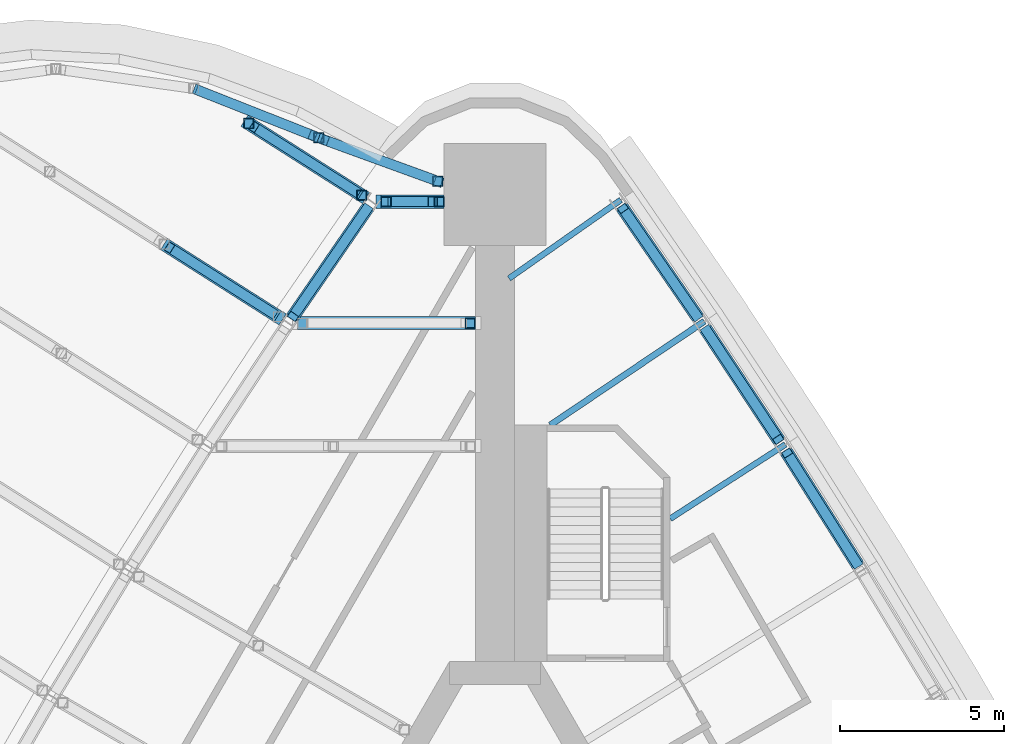
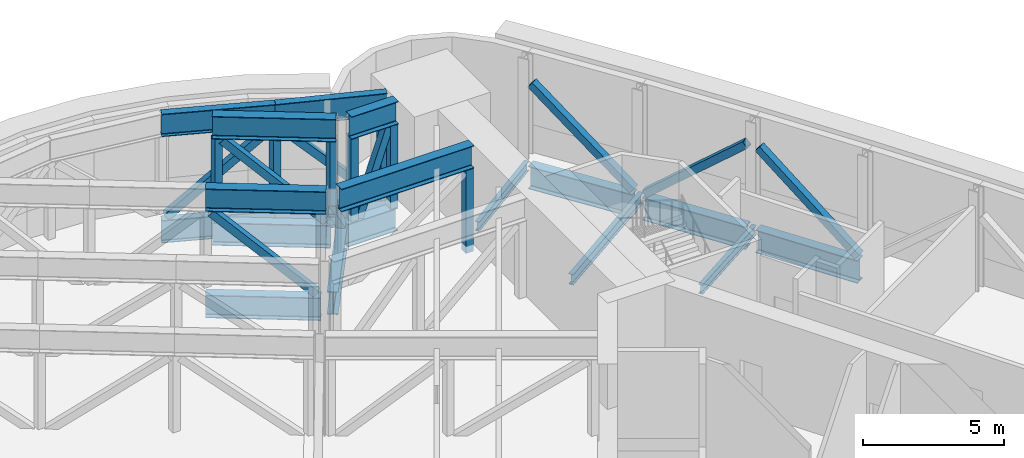
# One storey, part 5 of 11: 27 members, 7 beams.
"""IFC4 building model written with IfcOpenShell, lengths in metres."""

from ifc_helpers import new_model, si_unit, direction, frame, origin, origin_2d, place, context, subcontext, project, spatial, hollow_rectangle, i_section, extrude, material, material_profile, profile_set, type_object, element, save


model = new_model("IFC4")

# Units and contexts
model_context = context("Model", 3, precision=1e-05, world=origin(), true_north=direction((0.0, 1.0)))
body_context = subcontext(model_context, "Body", "Model", "MODEL_VIEW")
ifc_project = project(units=[si_unit("LENGTHUNIT", "METRE"), si_unit("AREAUNIT", "SQUARE_METRE"), si_unit("VOLUMEUNIT", "CUBIC_METRE"), si_unit("PLANEANGLEUNIT", "RADIAN"), si_unit("MASSUNIT", "GRAM", prefix="KILO")], contexts=[model_context])

# Site, building, storey
site_placement = place(None, origin())
site = spatial("IfcSite", under=ifc_project, at=site_placement, CompositionType="ELEMENT")
building_placement = place(site_placement, origin())
building = spatial("IfcBuilding", under=site, at=building_placement, Name="Noor Cloister Tower", CompositionType="ELEMENT")
storey_placement = place(building_placement, frame((0.0, 0.0, 87.0)))
storey = spatial("IfcBuildingStorey", under=building, at=storey_placement, Name="L22", CompositionType="ELEMENT", Elevation=87.0)

# Beams
ifc_material_1 = material(Name="Steel ASTM A992 Gr 50", Category="steel")
ifc_material_profile_1 = material_profile(ifc_material_1, i_section(OverallWidth=0.40087890625, OverallDepth=0.98291015625, WebThickness=0.0166015625, FlangeThickness=0.027099609375, FilletRadius=0.030029296875, at=origin_2d()), Name="W1000x296")
ifc_profile_set_1 = profile_set([ifc_material_profile_1], Name="Steel ASTM A992 Gr 50")
beam_type_1 = type_object("IfcBeamType", Name="Belt chord girder W1000x296", PredefinedType="BEAM", material=ifc_profile_set_1)
for number, where, z_axis, x_axis, name in (
    (1, (-3.869140625, 25.297119140625, -0.79150390625), (-0.566559259153, -0.824020998439, 0.0), (0.824020998439, -0.566559259153, 0.0), "Spandrel beam NW 01 L22"),
    (2, (11.05615234375, 14.390625, -0.79150390625), (-0.533743383618, 0.845646498511, 0.0), (-0.845646498511, -0.533743383618, 0.0), "Spandrel beam NE 07 L22"),
    (3, (8.656982421875, 18.184814453125, -0.79150390625), (-0.55023760703, 0.835008129188, 0.0), (-0.835008129188, -0.55023760703, 0.0), "Spandrel beam NE 08 L22"),
    (4, (6.18359375, 21.930908203125, -0.79150390625), (-0.566559259153, 0.824020998439, 0.0), (-0.824020998439, -0.566559259153, 0.0), "Spandrel beam NE 09 L22"),
):
    element("IfcBeam", number, at=place(storey_placement, frame(where, z_axis=z_axis, x_axis=x_axis)), inside=storey, type_object=beam_type_1, Name=name, PredefinedType="BEAM", context=body_context, shape_type="SweptSolid", body=[
        extrude(i_section(OverallWidth=0.40087890625, OverallDepth=0.98291015625, WebThickness=0.0166015625, FlangeThickness=0.027099609375, FilletRadius=0.030029296875, at=origin_2d()), origin(), (0.0, 0.0, 1.0), 4.085205078125),
    ])

# Members
ifc_material_2 = material(Name="Steel ASTM A500 Gr C", Category="steel")
ifc_material_profile_2 = material_profile(ifc_material_2, hollow_rectangle(XDim=0.304931640625, YDim=0.304931640625, WallThickness=0.0126953125, at=origin_2d()), Name="HSS304.8x304.8x12.7")
ifc_profile_set_2 = profile_set([ifc_material_profile_2], Name="Steel ASTM A500 Gr C")
member_type_1 = type_object("IfcMemberType", Name="Belt truss diagonal HSS304.8x304.8x12.7", PredefinedType="BRACE", material=ifc_profile_set_2)
for number, where, z_axis, x_axis, name in (
    (5, (-3.894775390625, 25.259765625, -0.18359375), (-0.432260153523, -0.628686927354, 0.646454876268), (0.824018738372, -0.566562546248, 0.0), "Belt truss diagonal NW 01 L22"),
    (6, (11.03173828125, 14.42919921875, -0.18359375), (-0.407176762911, 0.64520564825, 0.646464813592), (-0.845679126931, -0.533691684658, 0.0), "Belt truss diagonal NE 07 L22"),
    (7, (6.43408203125, 21.557861328125, -0.18359375), (0.41981778305, -0.637048535487, 0.646469018955), (0.834991396882, 0.55026299815, 0.0), "Belt truss diagonal NE 08 L22"),
    (8, (6.15771484375, 21.968505859375, -0.18359375), (-0.432260153523, 0.628686927354, 0.646454876268), (-0.824018738372, -0.566562546248, 0.0), "Belt truss diagonal NE 09 L22"),
):
    element("IfcMember", number, at=place(storey_placement, frame(where, z_axis=z_axis, x_axis=x_axis)), inside=storey, type_object=member_type_1, Name=name, PredefinedType="BRACE", context=body_context, shape_type="SweptSolid", body=[
        extrude(hollow_rectangle(XDim=0.304931640625, YDim=0.304931640625, WallThickness=0.0126953125, at=origin_2d()), origin(), (0.0, 0.0, 1.0), 5.235107421875),
    ])
ifc_material_3 = material(Name="Steel ASTM A992 Gr 50", Category="steel")
ifc_material_profile_3 = material_profile(ifc_material_3, i_section(OverallWidth=0.300048828125, OverallDepth=0.97998046875, WebThickness=0.0166015625, FlangeThickness=0.026123046875, FilletRadius=0.02978515625, at=origin_2d()), Name="W1000x249")
ifc_profile_set_3 = profile_set([ifc_material_profile_3], Name="Steel ASTM A992 Gr 50")
member_type_2 = type_object("IfcMemberType", Name="Pod ring chord W1000x249", PredefinedType="CHORD", material=ifc_profile_set_3)
member_1_placement = place(storey_placement, frame((-1.626220703125, 26.04638671875, -0.7900390625), z_axis=(-0.939671737681, 0.342077513737, 0.0), x_axis=(-0.342077513737, -0.939671737681, 0.0)))
element("IfcMember", 9, at=member_1_placement, inside=storey, type_object=member_type_2, Name="Pod truss 2 bottom chord ring 1", PredefinedType="CHORD", context=body_context, shape_type="SweptSolid", body=[
    extrude(i_section(OverallWidth=0.300048828125, OverallDepth=0.97998046875, WebThickness=0.0166015625, FlangeThickness=0.026123046875, FilletRadius=0.02978515625, at=origin_2d()), origin(), (0.0, 0.0, 1.0), 3.9853515625),
])
member_2_placement = place(storey_placement, frame((-1.601318359375, 26.037109375, 3.81005859375), z_axis=(-0.939654757797, 0.342124153121, 0.0), x_axis=(-0.342124153121, -0.939654757797, 0.0)))
element("IfcMember", 10, at=member_2_placement, inside=storey, type_object=member_type_2, Name="Pod truss 2 top chord ring 1", PredefinedType="CHORD", context=body_context, shape_type="SweptSolid", body=[
    extrude(i_section(OverallWidth=0.300048828125, OverallDepth=0.97998046875, WebThickness=0.0166015625, FlangeThickness=0.026123046875, FilletRadius=0.02978515625, at=origin_2d()), origin(), (0.0, 0.0, 1.0), 4.011962890625),
])
for number, where, z_axis, x_axis, name in (
    (11, (-5.375, 27.4111328125, -0.7900390625), (-0.930196647157, 0.367061571971, 0.0), (-0.367061571971, -0.930196647157, 0.0), "Pod truss 2 bottom chord ring 2"),
    (12, (-5.375, 27.4111328125, 3.81005859375), (-0.930196647157, 0.367061571971, 0.0), (-0.367061571971, -0.930196647157, 0.0), "Pod truss 2 top chord ring 2"),
):
    element("IfcMember", number, at=place(storey_placement, frame(where, z_axis=z_axis, x_axis=x_axis)), inside=storey, type_object=member_type_2, Name=name, PredefinedType="CHORD", context=body_context, shape_type="SweptSolid", body=[
        extrude(i_section(OverallWidth=0.300048828125, OverallDepth=0.97998046875, WebThickness=0.0166015625, FlangeThickness=0.026123046875, FilletRadius=0.02978515625, at=origin_2d()), origin(), (0.0, 0.0, 1.0), 4.077880859375),
    ])
ifc_material_4 = material(Name="Steel ASTM A992 Gr 50", Category="steel")
ifc_material_profile_4 = material_profile(ifc_material_4, i_section(OverallWidth=0.40087890625, OverallDepth=0.98291015625, WebThickness=0.0166015625, FlangeThickness=0.027099609375, FilletRadius=0.030029296875, at=origin_2d()), Name="W1000x296")
ifc_profile_set_4 = profile_set([ifc_material_profile_4], Name="Steel ASTM A992 Gr 50")
member_type_3 = type_object("IfcMemberType", Name="Pod truss chord W1000x296", PredefinedType="CHORD", material=ifc_profile_set_4)
member_3_placement = place(storey_placement, frame((-4.089111328125, 25.67626953125, -0.79150390625), z_axis=(-0.843993738831, 0.536353026294, 0.0), x_axis=(-0.536353026294, -0.843993738831, 0.0)))
element("IfcMember", 13, at=member_3_placement, inside=storey, type_object=member_type_3, Name="Pod truss 2 bottom chord line 1 cantilever 1", PredefinedType="CHORD", context=body_context, shape_type="SweptSolid", body=[
    extrude(i_section(OverallWidth=0.40087890625, OverallDepth=0.98291015625, WebThickness=0.0166015625, FlangeThickness=0.027099609375, FilletRadius=0.030029296875, at=origin_2d()), origin(), (0.0, 0.0, 1.0), 4.20361328125),
])
member_4_placement = place(storey_placement, frame((-3.93359375, 25.577392578125, 3.80859375), z_axis=(-0.843988946547, 0.536360567256, 0.0), x_axis=(-0.536360567256, -0.843988946547, 0.0)))
element("IfcMember", 14, at=member_4_placement, inside=storey, type_object=member_type_3, Name="Pod truss 2 top chord line 1 cantilever 1", PredefinedType="CHORD", context=body_context, shape_type="SweptSolid", body=[
    extrude(i_section(OverallWidth=0.40087890625, OverallDepth=0.98291015625, WebThickness=0.0166015625, FlangeThickness=0.027099609375, FilletRadius=0.030029296875, at=origin_2d()), origin(), (0.0, 0.0, 1.0), 4.387939453125),
])
member_5_placement = place(storey_placement, frame((-3.6318359375, 25.463623046875, -0.79150390625), z_axis=(1.0, 0.0, 0.0), x_axis=(0.0, 1.0, 0.0)))
element("IfcMember", 15, at=member_5_placement, inside=storey, type_object=member_type_3, Name="Pod truss 2 bottom chord line 1 back span", PredefinedType="CHORD", context=body_context, shape_type="SweptSolid", body=[
    extrude(i_section(OverallWidth=0.40087890625, OverallDepth=0.98291015625, WebThickness=0.0166015625, FlangeThickness=0.027099609375, FilletRadius=0.030029296875, at=origin_2d()), origin(), (0.0, 0.0, 1.0), 2.056884765625),
])
member_6_placement = place(storey_placement, frame((-3.472412109375, 25.463623046875, 3.80859375), z_axis=(1.0, 0.0, 0.0), x_axis=(0.0, 1.0, 0.0)))
element("IfcMember", 16, at=member_6_placement, inside=storey, type_object=member_type_3, Name="Pod truss 2 top chord line 1 back span", PredefinedType="CHORD", context=body_context, shape_type="SweptSolid", body=[
    extrude(i_section(OverallWidth=0.40087890625, OverallDepth=0.98291015625, WebThickness=0.0166015625, FlangeThickness=0.027099609375, FilletRadius=0.030029296875, at=origin_2d()), origin(), (0.0, 0.0, 1.0), 1.92236328125),
])
member_7_placement = place(storey_placement, frame((-6.626220703125, 21.97314453125, -0.79150390625), z_axis=(-0.843987634306, 0.536362632123, 0.0), x_axis=(-0.536362632123, -0.843987634306, 0.0)))
element("IfcMember", 17, at=member_7_placement, inside=storey, type_object=member_type_3, Name="Pod truss 2 bottom chord line 2 cantilever 1", PredefinedType="CHORD", context=body_context, shape_type="SweptSolid", body=[
    extrude(i_section(OverallWidth=0.40087890625, OverallDepth=0.98291015625, WebThickness=0.0166015625, FlangeThickness=0.027099609375, FilletRadius=0.030029296875, at=origin_2d()), origin(), (0.0, 0.0, 1.0), 4.097412109375),
])
member_8_placement = place(storey_placement, frame((-6.4736328125, 21.876220703125, 3.80859375), z_axis=(-0.84399264027, 0.536354754962, 0.0), x_axis=(-0.536354754962, -0.84399264027, 0.0)))
element("IfcMember", 18, at=member_8_placement, inside=storey, type_object=member_type_3, Name="Pod truss 2 top chord line 2 cantilever 1", PredefinedType="CHORD", context=body_context, shape_type="SweptSolid", body=[
    extrude(i_section(OverallWidth=0.40087890625, OverallDepth=0.98291015625, WebThickness=0.0166015625, FlangeThickness=0.027099609375, FilletRadius=0.030029296875, at=origin_2d()), origin(), (0.0, 0.0, 1.0), 4.2783203125),
])
member_9_placement = place(storey_placement, frame((-6.016845703125, 21.7646484375, 3.80859375), z_axis=(1.0, 0.0, 0.0), x_axis=(0.0, 1.0, 0.0)))
element("IfcMember", 19, at=member_9_placement, inside=storey, type_object=member_type_3, Name="Pod truss 2 top chord line 2 back span", PredefinedType="CHORD", context=body_context, shape_type="SweptSolid", body=[
    extrude(i_section(OverallWidth=0.40087890625, OverallDepth=0.98291015625, WebThickness=0.0166015625, FlangeThickness=0.027099609375, FilletRadius=0.030029296875, at=origin_2d()), origin(), (0.0, 0.0, 1.0), 5.416748046875),
])
ifc_material_5 = material(Name="Steel ASTM A500 Gr C", Category="steel")
ifc_material_profile_5 = material_profile(ifc_material_5, hollow_rectangle(XDim=0.304931640625, YDim=0.304931640625, WallThickness=0.0126953125, at=origin_2d()), Name="HSS304.8x304.8x12.7")
ifc_profile_set_5 = profile_set([ifc_material_profile_5], Name="Steel ASTM A500 Gr C")
member_type_4 = type_object("IfcMemberType", Name="Pod truss diagonal HSS304.8x304.8x12.7", PredefinedType="BRACE", material=ifc_profile_set_5)
member_10_placement = place(storey_placement, frame((-1.93017578125, 26.156982421875, -0.191162109375), z_axis=(-0.670620348966, 0.244131542117, 0.700477078638), x_axis=(-0.342076682615, -0.939672040241, 0.0)))
element("IfcMember", 20, at=member_10_placement, inside=storey, type_object=member_type_4, Name="Pod truss 2 diagonal ring 1", PredefinedType="BRACE", context=body_context, shape_type="SweptSolid", body=[
    extrude(hollow_rectangle(XDim=0.304931640625, YDim=0.304931640625, WallThickness=0.0126953125, at=origin_2d()), origin(), (0.0, 0.0, 1.0), 4.857177734375),
])
member_11_placement = place(storey_placement, frame((-5.556884765625, 27.48291015625, 3.20751953125), z_axis=(-0.685627105093, 0.270547639216, -0.675810215724), x_axis=(-0.367055443534, -0.930199065454, 0.0)))
element("IfcMember", 21, at=member_11_placement, inside=storey, type_object=member_type_4, Name="Pod truss 2 diagonal ring 2", PredefinedType="BRACE", context=body_context, shape_type="SweptSolid", body=[
    extrude(hollow_rectangle(XDim=0.304931640625, YDim=0.304931640625, WallThickness=0.0126953125, at=origin_2d()), origin(), (0.0, 0.0, 1.0), 5.023681640625),
])
member_12_placement = place(storey_placement, frame((-4.22900390625, 25.76513671875, -0.187744140625), z_axis=(-0.621143031377, 0.39473690801, 0.677025928623), x_axis=(-0.536357079294, -0.843991163159, 0.0)))
element("IfcMember", 22, at=member_12_placement, inside=storey, type_object=member_type_4, Name="Pod truss 2 diagonal line 1 cantilever 1", PredefinedType="BRACE", context=body_context, shape_type="SweptSolid", body=[
    extrude(hollow_rectangle(XDim=0.304931640625, YDim=0.304931640625, WallThickness=0.0126953125, at=origin_2d()), origin(), (0.0, 0.0, 1.0), 5.010986328125),
])
member_13_placement = place(storey_placement, frame((-3.12255859375, 25.463623046875, -0.25), z_axis=(0.328378201145, 0.0, 0.944546323381), x_axis=(0.0, 1.0, 0.0)))
element("IfcMember", 23, at=member_13_placement, inside=storey, type_object=member_type_4, Name="Pod truss 2 diagonal line 1 back span 1", PredefinedType="BRACE", context=body_context, shape_type="SweptSolid", body=[
    extrude(hollow_rectangle(XDim=0.304931640625, YDim=0.304931640625, WallThickness=0.0126953125, at=origin_2d()), origin(), (0.0, 0.0, 1.0), 3.723388671875),
])
member_14_placement = place(storey_placement, frame((-6.76904296875, 22.06396484375, -0.187255859375), z_axis=(-0.624519541426, 0.396880062148, 0.672652628514), x_axis=(-0.536354556399, -0.843992766456, 0.0)))
element("IfcMember", 24, at=member_14_placement, inside=storey, type_object=member_type_4, Name="Pod truss 2 diagonal line 2 cantilever 1", PredefinedType="BRACE", context=body_context, shape_type="SweptSolid", body=[
    extrude(hollow_rectangle(XDim=0.304931640625, YDim=0.304931640625, WallThickness=0.0126953125, at=origin_2d()), origin(), (0.0, 0.0, 1.0), 5.041748046875),
])
ifc_material_6 = material(Name="Steel ASTM A500 Gr C", Category="steel")
ifc_material_profile_6 = material_profile(ifc_material_6, hollow_rectangle(XDim=0.304931640625, YDim=0.304931640625, WallThickness=0.0126953125, at=origin_2d()), Name="HSS304.8x304.8x12.7")
ifc_profile_set_6 = profile_set([ifc_material_profile_6], Name="Steel ASTM A500 Gr C")
member_type_5 = type_object("IfcMemberType", Name="Pod truss post HSS304.8x304.8x12.7", PredefinedType="POST", material=ifc_profile_set_6)
for number, where, z_axis, x_axis, name in (
    (25, (-1.74462890625, 26.08935546875, -0.300048828125), (0.0, 0.0, 1.0), (1.0, 0.0, 0.0), "Pod truss 2 post ring node 0"),
    (26, (-5.373046875, 27.410400390625, -0.300048828125), (0.0, 0.0, 1.0), (1.0, 0.0, 0.0), "Pod truss 2 post ring node 1"),
):
    element("IfcMember", number, at=place(storey_placement, frame(where, z_axis=z_axis, x_axis=x_axis)), inside=storey, type_object=member_type_5, Name=name, PredefinedType="POST", context=body_context, shape_type="SweptSolid", body=[
        extrude(hollow_rectangle(XDim=0.304931640625, YDim=0.304931640625, WallThickness=0.0126953125, at=origin_2d()), origin(), (0.0, 0.0, 1.0), 3.6201171875),
    ])
for number, where, z_axis, x_axis, name in (
    (27, (-4.062255859375, 25.6591796875, -0.300048828125), (0.0, 0.0, 1.0), (1.0, 0.0, 0.0), "Pod truss 2 post line 1 cantilever 1"),
    (28, (-7.508056640625, 27.848876953125, -0.300048828125), (0.0, 0.0, 1.0), (1.0, 0.0, 0.0), "Pod truss 2 post line 1 cantilever 2"),
    (29, (-3.320068359375, 25.463623046875, -0.300048828125), (0.0, 0.0, 1.0), (1.0, 0.0, 0.0), "Pod truss 2 post line 1 back span 1"),
    (30, (-1.702392578125, 25.463623046875, -0.300048828125), (0.0, 0.0, 1.0), (1.0, 0.0, 0.0), "Pod truss 2 post line 1 back span 2"),
    (31, (-0.75244140625, 21.7646484375, -0.300048828125), (0.0, 0.0, 1.0), (1.0, 0.0, 0.0), "Pod truss 2 post line 2 back span 2"),
):
    element("IfcMember", number, at=place(storey_placement, frame(where, z_axis=z_axis, x_axis=x_axis)), inside=storey, type_object=member_type_5, Name=name, PredefinedType="POST", context=body_context, shape_type="SweptSolid", body=[
        extrude(hollow_rectangle(XDim=0.304931640625, YDim=0.304931640625, WallThickness=0.0126953125, at=origin_2d()), origin(), (0.0, 0.0, 1.0), 3.616943359375),
    ])

# Beams
ifc_material_7 = material(Name="Steel ASTM A992 Gr 50", Category="steel")
ifc_material_profile_7 = material_profile(ifc_material_7, i_section(OverallWidth=0.177978515625, OverallDepth=0.406005859375, WebThickness=0.0078125, FlangeThickness=0.0126953125, FilletRadius=0.01025390625, at=origin_2d()), Name="W410x60")
ifc_profile_set_7 = profile_set([ifc_material_profile_7], Name="Steel ASTM A992 Gr 50")
beam_type_2 = type_object("IfcBeamType", Name="Radial beam W410x60", PredefinedType="BEAM", material=ifc_profile_set_7)
beam_1_placement = place(storey_placement, frame((8.849609375, 18.068603515625, -0.5029296875), z_axis=(-0.840397881814, -0.541969925589, 0.0), x_axis=(0.541969925589, -0.840397881814, 0.0)))
element("IfcBeam", 32, at=beam_1_placement, inside=storey, type_object=beam_type_2, Name="Radial beam NE 08 L22", PredefinedType="BEAM", context=body_context, shape_type="SweptSolid", body=[
    extrude(i_section(OverallWidth=0.177978515625, OverallDepth=0.406005859375, WebThickness=0.0078125, FlangeThickness=0.0126953125, FilletRadius=0.01025390625, at=origin_2d()), origin(), (0.0, 0.0, 1.0), 4.18115234375),
])
beam_2_placement = place(storey_placement, frame((3.833984375, 25.519287109375, -0.5029296875), z_axis=(-0.818407746159, -0.574637939078, 0.0), x_axis=(0.574637939078, -0.818407746159, 0.0)))
element("IfcBeam", 33, at=beam_2_placement, inside=storey, type_object=beam_type_2, Name="Radial beam NE 10 L22", PredefinedType="BEAM", context=body_context, shape_type="SweptSolid", body=[
    extrude(i_section(OverallWidth=0.177978515625, OverallDepth=0.406005859375, WebThickness=0.0078125, FlangeThickness=0.0126953125, FilletRadius=0.01025390625, at=origin_2d()), origin(), (0.0, 0.0, 1.0), 4.165283203125),
])
ifc_material_8 = material(Name="Steel ASTM A992 Gr 50", Category="steel")
ifc_material_profile_8 = material_profile(ifc_material_8, i_section(OverallWidth=0.19091796875, OverallDepth=0.45703125, WebThickness=0.009033203125, FlangeThickness=0.014404296875, FilletRadius=0.01025390625, at=origin_2d()), Name="W460x74")
ifc_profile_set_8 = profile_set([ifc_material_profile_8], Name="Steel ASTM A992 Gr 50")
beam_type_3 = type_object("IfcBeamType", Name="Radial beam W460x74", PredefinedType="BEAM", material=ifc_profile_set_8)
beam_3_placement = place(storey_placement, frame((6.37841796875, 21.81884765625, -0.528564453125), z_axis=(-0.829554718395, -0.558425437448, 0.0), x_axis=(0.558425437448, -0.829554718395, 0.0)))
element("IfcBeam", 34, at=beam_3_placement, inside=storey, type_object=beam_type_3, Name="Radial beam NE 09 L22", PredefinedType="BEAM", context=body_context, shape_type="SweptSolid", body=[
    extrude(i_section(OverallWidth=0.19091796875, OverallDepth=0.45703125, WebThickness=0.009033203125, FlangeThickness=0.014404296875, FilletRadius=0.01025390625, at=origin_2d()), origin(), (0.0, 0.0, 1.0), 5.6630859375),
])

save(model, "model.ifc")
